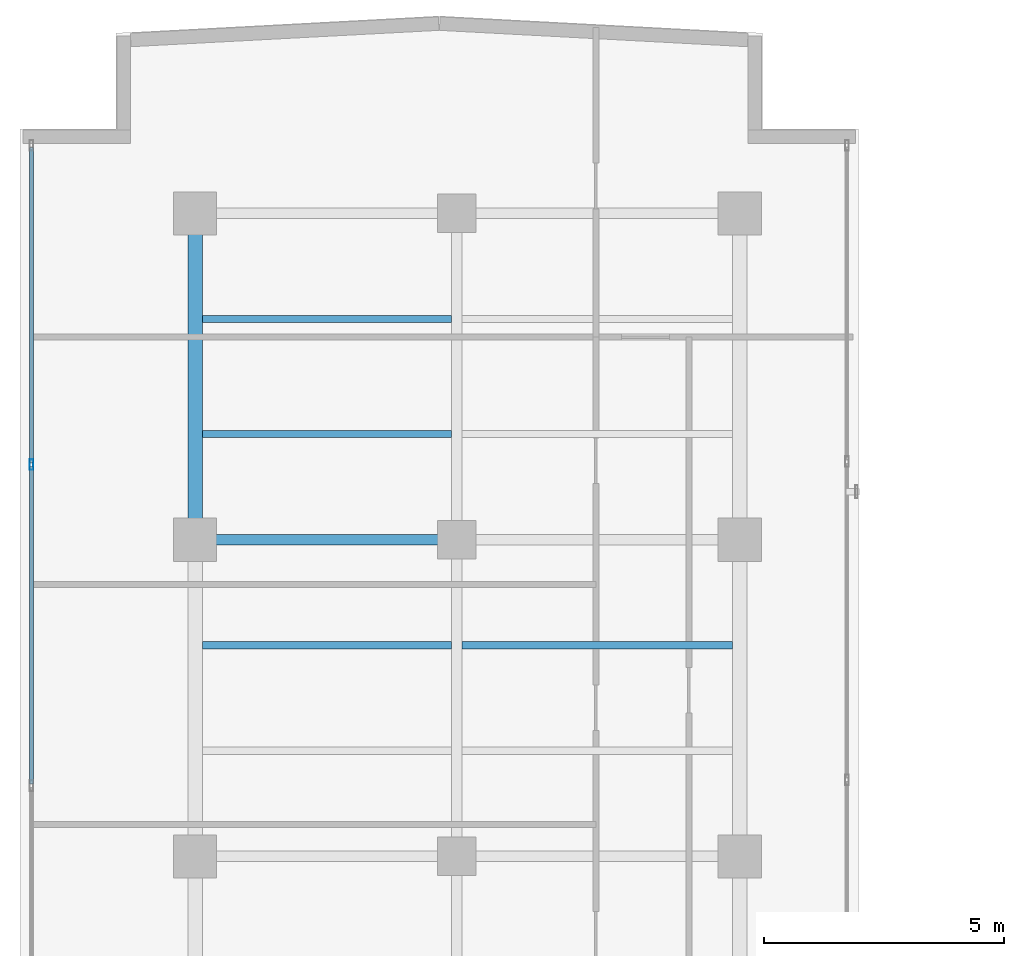
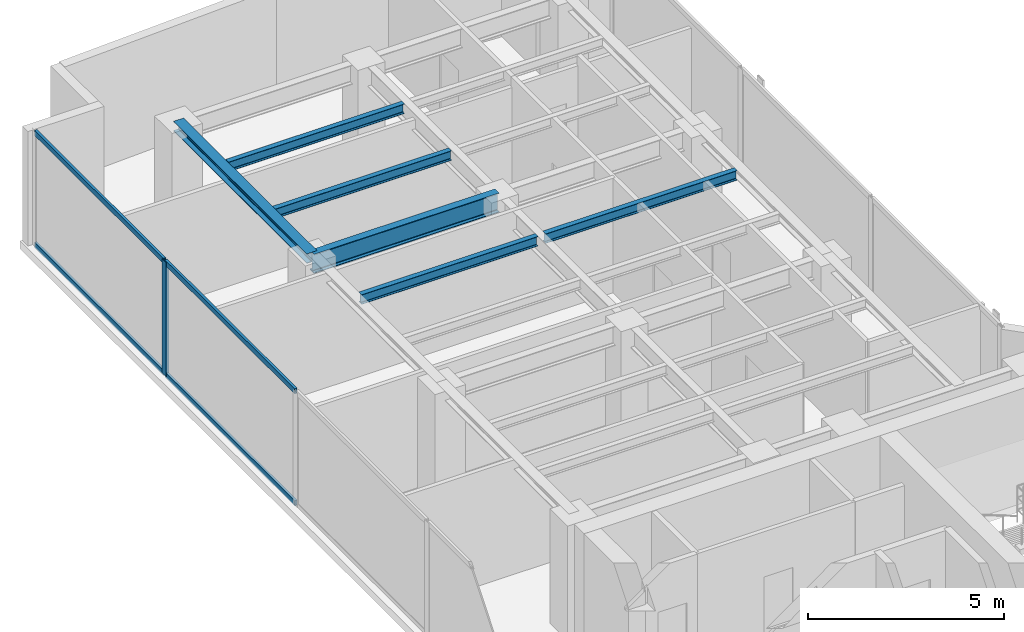
# One storey, part 13 of 22: 6 beams, 5 members, 1 element without a shape of its own.
"""IFC4 building model written with IfcOpenShell, lengths in metres."""

from ifc_helpers import new_model, si_unit, direction, frame, origin, origin_with_axes, origin_2d, place, context, subcontext, project, spatial, hollow_rectangle, i_section, extrude, source, transform, mapped, material, layer, layer_set, material_profile, profile_set, type_object, element, aggregate, save


model = new_model("IFC4")

# Units and contexts
model_context = context("Model", 3, precision=1e-05, world=origin(), true_north=direction((0.0, 1.0)))
body_context = subcontext(model_context, "Body", "Model", "MODEL_VIEW")
ifc_project = project(units=[si_unit("LENGTHUNIT", "METRE"), si_unit("AREAUNIT", "SQUARE_METRE"), si_unit("VOLUMEUNIT", "CUBIC_METRE"), si_unit("PLANEANGLEUNIT", "RADIAN"), si_unit("MASSUNIT", "GRAM", prefix="KILO")], contexts=[model_context])

# Site, building, storey
site_placement = place(None, origin())
site = spatial("IfcSite", under=ifc_project, at=site_placement, CompositionType="ELEMENT")
building_placement = place(site_placement, origin())
building = spatial("IfcBuilding", under=site, at=building_placement, Name="Kolvaren Waterfront Exchange", CompositionType="ELEMENT")
storey_placement = place(building_placement, frame((0.0, 0.0, 308.39990234375)))
storey = spatial("IfcBuildingStorey", under=building, at=storey_placement, Name="L79", CompositionType="ELEMENT", Elevation=308.39990234375)

# Beams
ifc_material_1 = material(Name="Steel S355", Category="steel")
ifc_material_profile_1 = material_profile(ifc_material_1, i_section(OverallWidth=0.300048828125, OverallDepth=0.300048828125, WebThickness=0.010986328125, FlangeThickness=0.01904296875, FilletRadius=0.027099609375, at=origin_2d()), Name="HEB300")
ifc_profile_set_1 = profile_set([ifc_material_profile_1], Name="Steel S355")
beam_type_1 = type_object("IfcBeamType", Name="STR-BM-HEB300", PredefinedType="SPANDREL", material=ifc_profile_set_1)
beam_1_placement = place(storey_placement, frame((7.449951171875, 37.800048828125, 3.41015625), z_axis=(0.0, 1.0, 0.0), x_axis=(-1.0, 0.0, 0.0)))
element("IfcBeam", 1, at=beam_1_placement, inside=storey, type_object=beam_type_1, Name="L79 north-arm edge beam 3", PredefinedType="SPANDREL", context=body_context, shape_type="SweptSolid", body=[
    extrude(i_section(OverallWidth=0.300048828125, OverallDepth=0.300048828125, WebThickness=0.010986328125, FlangeThickness=0.01904296875, FilletRadius=0.027099609375, at=origin_2d()), origin(), (0.0, 0.0, 1.0), 6.800048828125),
])
ifc_material_profile_2 = material_profile(ifc_material_1, i_section(OverallWidth=0.14990234375, OverallDepth=0.300048828125, WebThickness=0.007080078125, FlangeThickness=0.0107421875, FilletRadius=0.014892578125, at=origin_2d()), Name="IPE300")
ifc_profile_set_2 = profile_set([ifc_material_profile_2], Name="Steel S355")
beam_type_2 = type_object("IfcBeamType", Name="STR-BM-IPE300", PredefinedType="JOIST", material=ifc_profile_set_2)
beam_2_placement = place(storey_placement, frame((7.60205078125, 35.60009765625, 3.41015625), z_axis=(1.0, 0.0, 0.0), x_axis=(0.0, 1.0, 0.0)))
element("IfcBeam", 2, at=beam_2_placement, inside=storey, type_object=beam_type_2, Name="L79 north-arm composite joist 4A", PredefinedType="JOIST", context=body_context, shape_type="SweptSolid", body=[
    extrude(i_section(OverallWidth=0.14990234375, OverallDepth=0.300048828125, WebThickness=0.007080078125, FlangeThickness=0.0107421875, FilletRadius=0.014892578125, at=origin_2d()), origin(), (0.0, 0.0, 1.0), 5.18603515625),
])
beam_3_placement = place(storey_placement, frame((13.011962890625, 35.60009765625, 3.41015625), z_axis=(1.0, 0.0, 0.0), x_axis=(0.0, 1.0, 0.0)))
element("IfcBeam", 3, at=beam_3_placement, inside=storey, type_object=beam_type_2, Name="L79 north-arm composite joist 4B", PredefinedType="JOIST", context=body_context, shape_type="SweptSolid", body=[
    extrude(i_section(OverallWidth=0.14990234375, OverallDepth=0.300048828125, WebThickness=0.007080078125, FlangeThickness=0.0107421875, FilletRadius=0.014892578125, at=origin_2d()), origin(), (0.0, 0.0, 1.0), 5.635986328125),
])
for number, where, z_axis, x_axis, name in (
    (4, (7.60205078125, 40.0, 3.41015625), (1.0, 0.0, 0.0), (0.0, 1.0, 0.0), "L79 north-arm composite joist 5A"),
    (5, (7.60205078125, 42.39990234375, 3.41015625), (1.0, 0.0, 0.0), (0.0, 1.0, 0.0), "L79 north-arm composite joist 6A"),
):
    element("IfcBeam", number, at=place(storey_placement, frame(where, z_axis=z_axis, x_axis=x_axis)), inside=storey, type_object=beam_type_2, Name=name, PredefinedType="JOIST", context=body_context, shape_type="SweptSolid", body=[
        extrude(i_section(OverallWidth=0.14990234375, OverallDepth=0.300048828125, WebThickness=0.007080078125, FlangeThickness=0.0107421875, FilletRadius=0.014892578125, at=origin_2d()), origin(), (0.0, 0.0, 1.0), 5.18603515625),
    ])
ifc_material_profile_3 = material_profile(ifc_material_1, i_section(OverallWidth=0.219970703125, OverallDepth=0.60009765625, WebThickness=0.011962890625, FlangeThickness=0.01904296875, FilletRadius=0.02392578125, at=origin_2d()), Name="IPE600")
ifc_profile_set_3 = profile_set([ifc_material_profile_3], Name="Steel S355")
beam_type_3 = type_object("IfcBeamType", Name="STR-BM-IPE600", PredefinedType="BEAM", material=ifc_profile_set_3)
beam_4_placement = place(storey_placement, frame((7.449951171875, 37.800048828125, 3.260009765625), z_axis=(1.0, 0.0, 0.0), x_axis=(0.0, 1.0, 0.0)))
element("IfcBeam", 6, at=beam_4_placement, inside=storey, type_object=beam_type_3, Name="L79 north-arm girder 3A", PredefinedType="BEAM", context=body_context, shape_type="SweptSolid", body=[
    extrude(i_section(OverallWidth=0.219970703125, OverallDepth=0.60009765625, WebThickness=0.011962890625, FlangeThickness=0.01904296875, FilletRadius=0.02392578125, at=origin_2d()), origin(), (0.0, 0.0, 1.0), 5.449951171875),
])

# Curtain wall, members
ifc_material_2 = material(Name="Anodised aluminium 6063-T6", Category="aluminium")
ifc_layer = layer(ifc_material_2, 0.219970703125, Name="Anodised aluminium 6063-T6")
ifc_layer_set = layer_set([ifc_layer], Name="Anodised aluminium 6063-T6")
curtain_wall_type = type_object("IfcCurtainWallType", Name="ARC-CW-SYS2", PredefinedType="USERDEFINED", material=ifc_layer_set)
curtain_wall_placement = place(storey_placement, origin())
curtain_wall = element("IfcCurtainWall", 7, at=curtain_wall_placement, inside=storey, type_object=curtain_wall_type, Name="L79 stick curtain wall CW2 (CW-L79-W)", ObjectType="STICK CURTAIN WALL", PredefinedType="USERDEFINED")
ifc_material_profile_4 = material_profile(ifc_material_2, hollow_rectangle(XDim=0.080078125, YDim=0.219970703125, WallThickness=0.0048828125, at=origin_2d()), Name="ALU-MUL-220x80x5")
ifc_profile_set_4 = profile_set([ifc_material_profile_4], Name="Anodised aluminium 6063-T6")
member_type_1 = type_object("IfcMemberType", Name="ARC-CWM-220", PredefinedType="MULLION", material=ifc_profile_set_4)
shared_shape_1 = source(origin_with_axes(), body_context, "Body", "SweptSolid", [
    extrude(hollow_rectangle(XDim=0.080078125, YDim=0.219970703125, WallThickness=0.0048828125, at=origin_2d()), origin(), (0.0, 0.0, 1.0), 3.56005859375),
])
member_1_placement = place(storey_placement, frame((4.0400390625, 39.364990234375, 0.0), z_axis=(0.0, 0.0, 1.0), x_axis=(-1.0, 0.0, 0.0)))
member_1 = element("IfcMember", 8, at=member_1_placement, type_object=member_type_1, Name="CW2 mullion 6", PredefinedType="MULLION", context=body_context, shape_type="MappedRepresentation", body=[
    mapped(shared_shape_1, transform((0.0, 0.0, 0.0), x_axis=(1.0, 0.0, 0.0), y_axis=(0.0, 1.0, 0.0), z_axis=(0.0, 0.0, 1.0), scale=1.0)),
])
ifc_material_profile_5 = material_profile(ifc_material_2, hollow_rectangle(XDim=0.074951171875, YDim=0.159912109375, WallThickness=0.00439453125, at=origin_2d()), Name="ALU-TRN-160x75x4.5")
ifc_profile_set_5 = profile_set([ifc_material_profile_5], Name="Anodised aluminium 6063-T6")
member_type_2 = type_object("IfcMemberType", Name="ARC-CWT-160", PredefinedType="USERDEFINED", material=ifc_profile_set_5)
shared_shape_2 = source(origin_with_axes(), body_context, "Body", "SweptSolid", [
    extrude(hollow_rectangle(XDim=0.074951171875, YDim=0.159912109375, WallThickness=0.00439453125, at=origin_2d()), origin(), (0.0, 0.0, 1.0), 6.57275390625),
])
member_2_placement = place(storey_placement, frame((4.0400390625, 39.405029296875, 0.03759765625), z_axis=(0.0, 1.0, 0.0), x_axis=(-1.0, 0.0, 0.0)))
member_2 = element("IfcMember", 9, at=member_2_placement, type_object=member_type_2, Name="CW2 transom 6.1", ObjectType="TRANSOM", PredefinedType="USERDEFINED", context=body_context, shape_type="MappedRepresentation", body=[
    mapped(shared_shape_2, transform((0.0, 0.0, 0.0), x_axis=(1.0, 0.0, 0.0), y_axis=(0.0, 1.0, 0.0), z_axis=(0.0, 0.0, 1.0), scale=1.0)),
])
member_3_placement = place(storey_placement, frame((4.0400390625, 39.405029296875, 3.522705078125), z_axis=(0.0, 1.0, 0.0), x_axis=(-1.0, 0.0, 0.0)))
member_3 = element("IfcMember", 10, at=member_3_placement, type_object=member_type_2, Name="CW2 transom 6.2", ObjectType="TRANSOM", PredefinedType="USERDEFINED", context=body_context, shape_type="MappedRepresentation", body=[
    mapped(shared_shape_2, transform((0.0, 0.0, 0.0), x_axis=(1.0, 0.0, 0.0), y_axis=(0.0, 1.0, 0.0), z_axis=(0.0, 0.0, 1.0), scale=1.0)),
])
shared_shape_3 = source(origin_with_axes(), body_context, "Body", "SweptSolid", [
    extrude(hollow_rectangle(XDim=0.074951171875, YDim=0.159912109375, WallThickness=0.00439453125, at=origin_2d()), origin(), (0.0, 0.0, 1.0), 6.613037109375),
])
member_4_placement = place(storey_placement, frame((4.0400390625, 32.7119140625, 0.03759765625), z_axis=(0.0, 1.0, 0.0), x_axis=(-1.0, 0.0, 0.0)))
member_4 = element("IfcMember", 11, at=member_4_placement, type_object=member_type_2, Name="CW2 transom 5.1", ObjectType="TRANSOM", PredefinedType="USERDEFINED", context=body_context, shape_type="MappedRepresentation", body=[
    mapped(shared_shape_3, transform((0.0, 0.0, 0.0), x_axis=(1.0, 0.0, 0.0), y_axis=(0.0, 1.0, 0.0), z_axis=(0.0, 0.0, 1.0), scale=1.0)),
])
member_5_placement = place(storey_placement, frame((4.0400390625, 32.7119140625, 3.522705078125), z_axis=(0.0, 1.0, 0.0), x_axis=(-1.0, 0.0, 0.0)))
member_5 = element("IfcMember", 12, at=member_5_placement, type_object=member_type_2, Name="CW2 transom 5.2", ObjectType="TRANSOM", PredefinedType="USERDEFINED", context=body_context, shape_type="MappedRepresentation", body=[
    mapped(shared_shape_3, transform((0.0, 0.0, 0.0), x_axis=(1.0, 0.0, 0.0), y_axis=(0.0, 1.0, 0.0), z_axis=(0.0, 0.0, 1.0), scale=1.0)),
])
aggregate(curtain_wall, [member_1, member_4, member_5, member_2, member_3])

save(model, "model.ifc")
